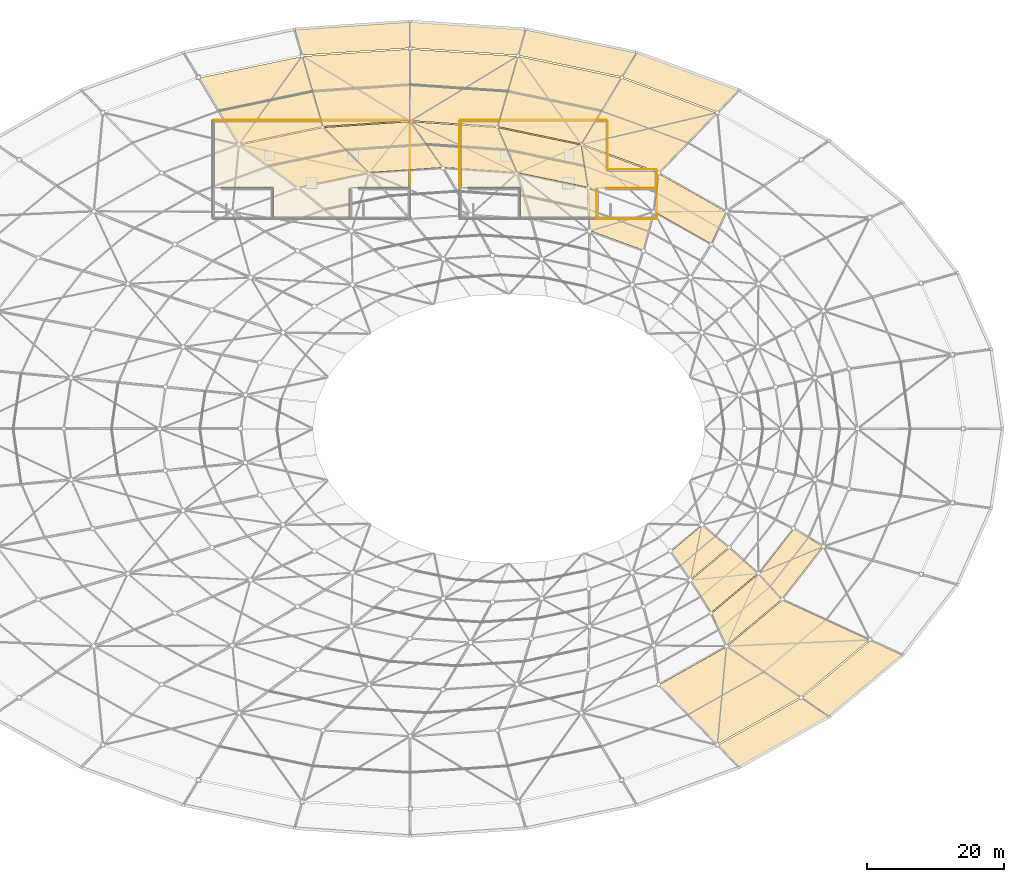
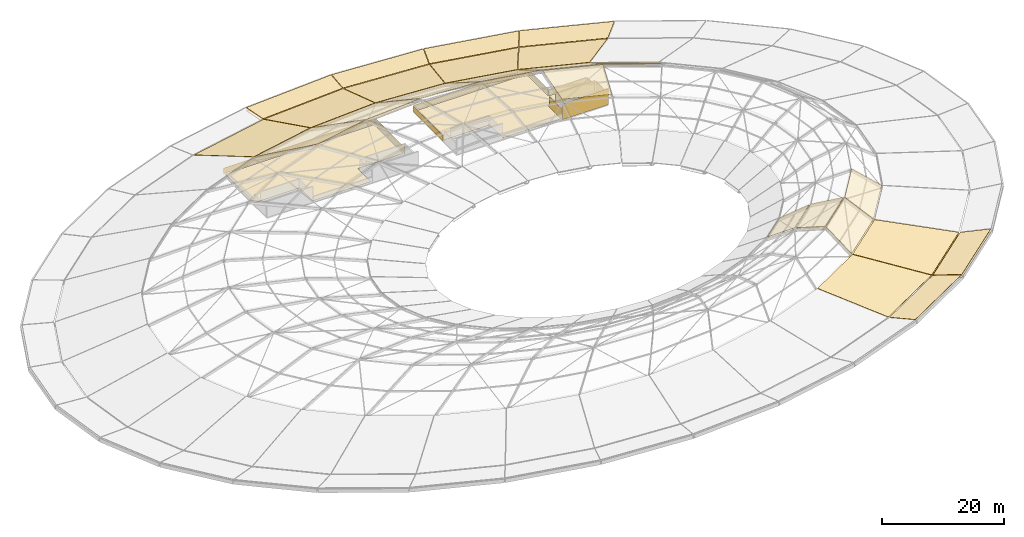
# One storey, part 28 of 30: 48 coverings.
"""IFC4 building model written with IfcOpenShell, lengths in metres."""

from ifc_helpers import new_model, si_unit, direction, frame, origin, origin_2d, place, context, subcontext, project, spatial, polyline, rectangle, outline, extrude, material, layer, layer_set, type_object, element, save


model = new_model("IFC4")

# Units and contexts
model_context = context("Model", 3, precision=1e-05, world=origin(), true_north=direction((0.0, 1.0)))
body_context = subcontext(model_context, "Body", "Model", "MODEL_VIEW")
ifc_project = project(units=[si_unit("LENGTHUNIT", "METRE"), si_unit("AREAUNIT", "SQUARE_METRE"), si_unit("VOLUMEUNIT", "CUBIC_METRE"), si_unit("PLANEANGLEUNIT", "RADIAN"), si_unit("MASSUNIT", "GRAM", prefix="KILO")], contexts=[model_context])

# Site, building, storey
site_placement = place(None, origin())
site = spatial("IfcSite", under=ifc_project, at=site_placement, CompositionType="ELEMENT")
building_placement = place(site_placement, origin())
building = spatial("IfcBuilding", under=site, at=building_placement, Name="Namkhue Oval Health Centre", CompositionType="ELEMENT")
storey_placement = place(building_placement, frame((0.0, 0.0, 26.39990234375)))
storey = spatial("IfcBuildingStorey", under=building, at=storey_placement, Name="RF", CompositionType="ELEMENT", Elevation=26.39990234375)

# Coverings
ifc_material_1 = material(Name="Slatted FSC timber acoustic soffit lining", Category="wood")
ifc_layer_1 = layer(ifc_material_1, 0.0400390625)
ifc_layer_set_1 = layer_set([ifc_layer_1], Name="Slatted FSC timber acoustic soffit lining")
covering_type_1 = type_object("IfcCoveringType", Name="SLATTED TIMBER SOFFIT CEILING 40", PredefinedType="CEILING", material=ifc_layer_set_1)
covering_1_placement = place(storey_placement, frame((119.371337890625, 114.206298828125, 0.4912109375), z_axis=(-0.020162579076, -0.096679350829, 0.995111337252), x_axis=(-0.97893925893, 0.204151726234, -6.87216e-07)))
element("IfcCovering", 1, at=covering_1_placement, inside=storey, type_object=covering_type_1, Name="Gridshell Canopy Slatted Timber Soffit K0-7", PredefinedType="CEILING", context=body_context, shape_type="SweptSolid", body=[
    extrude(outline(polyline([(0.0, 0.0), (16.44572414326599, 0.0), (16.739197177073102, 3.871151208074418), (1.3481097029547753, 3.87137274388681), (0.0, 0.0)])), origin(), (0.0, 0.0, -1.0), 0.0400390625),
])
covering_2_placement = place(storey_placement, frame((86.35791015625, 118.70751953125, 0.490966796875), z_axis=(0.006805001738, -0.100488806798, 0.994914916794), x_axis=(-0.997714709797, -0.067567431901, -3.21913e-07)))
element("IfcCovering", 2, at=covering_2_placement, inside=storey, type_object=covering_type_1, Name="Gridshell Canopy Slatted Timber Soffit K0-9", PredefinedType="CEILING", context=body_context, shape_type="SweptSolid", body=[
    extrude(outline(polyline([(0.0, 0.0), (16.783717029169217, 2.220446049250313e-16), (15.963938869234498, 3.7910519439176356), (0.25543998692965253, 3.7911557940457308), (0.0, 0.0)])), origin(), (0.0, 0.0, -1.0), 0.0400390625),
])
covering_3_placement = place(storey_placement, frame((147.45068359375, 17.478515625, 0.49267578125), z_axis=(-0.053761436773, 0.064177212126, 0.996489334293), x_axis=(0.766569996245, 0.642160759356, -1.83531e-07)))
element("IfcCovering", 3, at=covering_3_placement, inside=storey, type_object=covering_type_1, Name="Gridshell Canopy Slatted Timber Soffit K0-29", PredefinedType="CEILING", context=body_context, shape_type="SweptSolid", body=[
    extrude(outline(polyline([(0.0, 0.0), (13.909490126418302, 0.0), (11.736030655093852, 4.598763544971244), (-1.2740097579375826, 4.598822558229168), (0.0, 0.0)])), origin(), (0.0, 0.0, -1.0), 0.0400390625),
])
covering_4_placement = place(storey_placement, frame((117.16943359375, 110.55126953125, 0.1279296875), z_axis=(0.063020948362, 0.302186410439, 0.951163357901), x_axis=(-0.978939238781, 0.204151822846, 1.863703e-06)))
element("IfcCovering", 4, at=covering_4_placement, inside=storey, type_object=covering_type_1, Name="Gridshell Canopy Slatted Timber Soffit K1-7", PredefinedType="CEILING", context=body_context, shape_type="SweptSolid", body=[
    extrude(outline(polyline([(0.0, 0.0), (15.343156185400561, 4.440892098500626e-16), (16.151788719691453, 11.15788790667842), (3.7142736106411633, 11.158055632461412), (0.0, 0.0)])), origin(), (0.0, 0.0, -1.0), 0.0400390625),
])
covering_5_placement = place(storey_placement, frame((86.35791015625, 114.75146484375, 0.12841796875), z_axis=(-0.021238808043, 0.313652746515, 0.949300198903), x_axis=(-0.997715340394, -0.067558119743, -5.21215e-07)))
element("IfcCovering", 5, at=covering_5_placement, inside=storey, type_object=covering_type_1, Name="Gridshell Canopy Slatted Timber Soffit K1-9", PredefinedType="CEILING", context=body_context, shape_type="SweptSolid", body=[
    extrude(outline(polyline([(0.0, 0.0), (15.658577070304423, 2.220446049250313e-16), (13.398597219195707, 10.953193015409944), (0.7040639907798898, 10.953146007028797), (0.0, 0.0)])), origin(), (0.0, 0.0, -1.0), 0.0400390625),
])
covering_6_placement = place(storey_placement, frame((143.380126953125, 20.27685546875, 0.1240234375), z_axis=(0.170128739181, -0.203085399077, 0.964267873978), x_axis=(0.766566887545, 0.642164470303, -8.61121e-07)))
element("IfcCovering", 6, at=covering_6_placement, inside=storey, type_object=covering_type_1, Name="Gridshell Canopy Slatted Timber Soffit K1-29", PredefinedType="CEILING", context=body_context, shape_type="SweptSolid", body=[
    extrude(outline(polyline([(0.0, 0.0), (12.976062069125721, 0.0), (7.016702637466144, 13.030480668419415), (-3.49339112974487, 13.03040432947061), (0.0, 0.0)])), origin(), (0.0, 0.0, -1.0), 0.0400390625),
])
covering_7_placement = place(storey_placement, frame((132.45751953125, 91.063232421875, 3.648681640625), z_axis=(0.265310414489, 0.470222179844, 0.841725302903), x_axis=(-0.870932391499, 0.491402858595, -1.294447e-06)))
element("IfcCovering", 7, at=covering_7_placement, inside=storey, type_object=covering_type_1, Name="Gridshell Canopy Slatted Timber Soffit K2-5", PredefinedType="CEILING", context=body_context, shape_type="SweptSolid", body=[
    extrude(outline(polyline([(0.0, 0.0), (11.238634156316959, 8.881784197001252e-16), (9.136793707431496, 6.117261258411062), (-0.42268354284715115, 6.117211394065264), (0.0, 0.0)])), origin(), (0.0, 0.0, -1.0), 0.0400390625),
])
covering_8_placement = place(storey_placement, frame((111.3330078125, 100.759521484375, 3.64453125), z_axis=(0.100983987309, 0.484195001107, 0.869113016362), x_axis=(-0.978935455654, 0.204169962683, -1.460888e-06)))
element("IfcCovering", 8, at=covering_8_placement, inside=storey, type_object=covering_type_1, Name="Gridshell Canopy Slatted Timber Soffit K2-7", PredefinedType="CEILING", context=body_context, shape_type="SweptSolid", body=[
    extrude(outline(polyline([(0.0, 0.0), (12.382164648762764, 0.0), (8.322148245901477, 6.694210677373977), (-2.205755483694665, 6.694143010327258), (0.0, 0.0)])), origin(), (0.0, 0.0, -1.0), 0.0400390625),
])
covering_9_placement = place(storey_placement, frame((86.40673828125, 104.166015625, 3.638916015625), z_axis=(-0.029043785476, 0.42895402454, 0.902859293221), x_axis=(-0.997715823972, -0.067550977737, -1.307619e-06)))
element("IfcCovering", 9, at=covering_9_placement, inside=storey, type_object=covering_type_1, Name="Gridshell Canopy Slatted Timber Soffit K2-9", PredefinedType="CEILING", context=body_context, shape_type="SweptSolid", body=[
    extrude(outline(polyline([(0.0, 0.0), (12.6316355508969, 0.0), (6.50374868701712, 7.727934108379321), (-4.229268372299136, 7.727863046508613), (0.0, 0.0)])), origin(), (0.0, 0.0, -1.0), 0.0400390625),
])
covering_10_placement = place(storey_placement, frame((132.5263671875, 27.78662109375, 3.64990234375), z_axis=(0.354667313408, -0.423366454098, 0.833649771993), x_axis=(0.766563135095, 0.64216894966, -2.514884e-06)))
element("IfcCovering", 10, at=covering_10_placement, inside=storey, type_object=covering_type_1, Name="Gridshell Canopy Slatted Timber Soffit K2-29", PredefinedType="CEILING", context=body_context, shape_type="SweptSolid", body=[
    extrude(outline(polyline([(0.0, 0.0), (10.474395781024867, 8.881784197001252e-16), (10.264268940254638, 5.976103660138962), (1.3548288825344648, 5.976015395291201), (0.0, 0.0)])), origin(), (0.0, 0.0, -1.0), 0.0400390625),
])
covering_11_placement = place(storey_placement, frame((130.28759765625, 32.61767578125, 6.967529296875), z_axis=(-0.233176295518, 0.278344705834, 0.931747304768), x_axis=(0.766569372708, 0.642161503683, 3.811919e-06)))
element("IfcCovering", 11, at=covering_11_placement, inside=storey, type_object=covering_type_1, Name="Gridshell Canopy Slatted Timber Soffit K3-29", PredefinedType="CEILING", context=body_context, shape_type="SweptSolid", body=[
    extrude(outline(polyline([(0.0, 0.0), (8.862144535109273, 0.0), (8.057229919008066, 5.879242703204799), (0.7590093228671388, 5.879073050900896), (0.0, 0.0)])), origin(), (0.0, 0.0, -1.0), 0.0400390625),
])
ifc_material_2 = material(Name="Standing-seam aluminium-zinc insulated roofing", Category="aluminium")
ifc_layer_2 = layer(ifc_material_2, 0.044921875)
ifc_layer_set_2 = layer_set([ifc_layer_2], Name="Standing-seam aluminium-zinc insulated roofing")
covering_type_2 = type_object("IfcCoveringType", Name="STANDING SEAM ROOFING 45", PredefinedType="ROOFING", material=ifc_layer_set_2)
covering_12_placement = place(storey_placement, frame((0.0, 0.0, 0.0400390625)))
element("IfcCovering", 12, at=covering_12_placement, inside=storey, type_object=covering_type_2, Name="Volume V2 RF Standing Seam Roofing 1", PredefinedType="ROOFING", context=body_context, shape_type="SweptSolid", body=[
    extrude(outline(polyline([(86.139892578125, 104.139892578125), (86.139892578125, 94.580078125), (77.60009765625, 94.580078125), (77.59228515625, 94.57958984375), (77.58447265625, 94.57861328125), (77.576904296875, 94.57666015625), (77.5693359375, 94.573974609375), (77.562255859375, 94.570556640625), (77.5556640625, 94.56640625), (77.54931640625, 94.561767578125), (77.54345703125, 94.556640625), (77.5380859375, 94.55078125), (77.533447265625, 94.54443359375), (77.529296875, 94.53759765625), (77.526123046875, 94.530517578125), (77.5234375, 94.523193359375), (77.521484375, 94.515625), (77.5205078125, 94.5078125), (77.52001953125, 94.5), (77.52001953125, 90.260009765625), (66.47998046875, 90.260009765625), (66.47998046875, 94.5), (66.4794921875, 94.5078125), (66.478515625, 94.515625), (66.4765625, 94.523193359375), (66.473876953125, 94.530517578125), (66.470703125, 94.53759765625), (66.466552734375, 94.54443359375), (66.4619140625, 94.55078125), (66.45654296875, 94.556640625), (66.45068359375, 94.561767578125), (66.4443359375, 94.56640625), (66.437744140625, 94.570556640625), (66.4306640625, 94.573974609375), (66.423095703125, 94.57666015625), (66.41552734375, 94.57861328125), (66.40771484375, 94.57958984375), (66.39990234375, 94.580078125), (57.860107421875, 94.580078125), (57.860107421875, 104.139892578125), (86.139892578125, 104.139892578125)])), origin(), (0.0, 0.0, 1.0), 0.045166015625),
])
covering_13_placement = place(storey_placement, frame((0.0, 0.0, 0.0400390625)))
element("IfcCovering", 13, at=covering_13_placement, inside=storey, type_object=covering_type_2, Name="Volume V3 RF Standing Seam Roofing 1", PredefinedType="ROOFING", context=body_context, shape_type="SweptSolid", body=[
    extrude(outline(polyline([(114.93994140625, 104.139892578125), (114.93994140625, 97.199951171875), (114.94140625, 97.174560546875), (114.945068359375, 97.1494140625), (114.951171875, 97.12451171875), (114.959716796875, 97.1005859375), (114.970703125, 97.077392578125), (114.98388671875, 97.0556640625), (114.9990234375, 97.03515625), (115.01611328125, 97.01611328125), (115.03515625, 96.9990234375), (115.0556640625, 96.98388671875), (115.077392578125, 96.970703125), (115.1005859375, 96.959716796875), (115.12451171875, 96.951171875), (115.1494140625, 96.945068359375), (115.174560546875, 96.94140625), (115.199951171875, 96.93994140625), (122.139892578125, 96.93994140625), (122.139892578125, 94.580078125), (113.60009765625, 94.580078125), (113.59228515625, 94.57958984375), (113.58447265625, 94.57861328125), (113.576904296875, 94.57666015625), (113.5693359375, 94.573974609375), (113.562255859375, 94.570556640625), (113.5556640625, 94.56640625), (113.54931640625, 94.561767578125), (113.54345703125, 94.556640625), (113.5380859375, 94.55078125), (113.533447265625, 94.54443359375), (113.529296875, 94.53759765625), (113.526123046875, 94.530517578125), (113.5234375, 94.523193359375), (113.521484375, 94.515625), (113.5205078125, 94.5078125), (113.52001953125, 94.5), (113.52001953125, 90.260009765625), (102.47998046875, 90.260009765625), (102.47998046875, 94.5), (102.4794921875, 94.5078125), (102.478515625, 94.515625), (102.4765625, 94.523193359375), (102.473876953125, 94.530517578125), (102.470703125, 94.53759765625), (102.466552734375, 94.54443359375), (102.4619140625, 94.55078125), (102.45654296875, 94.556640625), (102.45068359375, 94.561767578125), (102.4443359375, 94.56640625), (102.437744140625, 94.570556640625), (102.4306640625, 94.573974609375), (102.423095703125, 94.57666015625), (102.41552734375, 94.57861328125), (102.40771484375, 94.57958984375), (102.39990234375, 94.580078125), (93.860107421875, 94.580078125), (93.860107421875, 104.139892578125), (114.93994140625, 104.139892578125)])), origin(), (0.0, 0.0, 1.0), 0.045166015625),
])
covering_14_placement = place(storey_placement, frame((134.289794921875, 108.73486328125, 1.138671875), z_axis=(-0.032758220177, -0.089142561944, 0.995480036295), x_axis=(-0.938632372597, 0.34491922114, -9.47171e-07)))
element("IfcCovering", 14, at=covering_14_placement, inside=storey, type_object=covering_type_2, Name="Elliptical Gridshell Standing Seam Roofing K0-6", PredefinedType="ROOFING", context=body_context, shape_type="SweptSolid", body=[
    extrude(outline(polyline([(0.0, 0.0), (15.802786855635159, -8.881784197001252e-16), (16.575198042852005, 4.033239653241714), (1.788258894853337, 4.03354473274905), (0.0, 0.0)])), origin(), (0.0, 0.0, -1.0), 0.044921875),
])
covering_15_placement = place(storey_placement, frame((119.371337890625, 114.206298828125, 1.13818359375), z_axis=(-0.020149829324, -0.096618215905, 0.995117533125), x_axis=(-0.978939258948, 0.204151726149, -6.86785e-07)))
element("IfcCovering", 15, at=covering_15_placement, inside=storey, type_object=covering_type_2, Name="Elliptical Gridshell Standing Seam Roofing K0-7", PredefinedType="ROOFING", context=body_context, shape_type="SweptSolid", body=[
    extrude(outline(polyline([(0.0, 0.0), (16.445724143266, -8.881784197001252e-16), (16.7391971770731, 3.871127103781713), (1.348109702954785, 3.8713486409734563), (0.0, 0.0)])), origin(), (0.0, 0.0, -1.0), 0.044921875),
])
covering_16_placement = place(storey_placement, frame((103.1875, 117.573486328125, 1.137939453125), z_axis=(-0.006804900221, -0.100488821262, 0.994914916028), x_axis=(-0.997714776227, 0.067566450978, 3.25168e-07)))
element("IfcCovering", 16, at=covering_16_placement, inside=storey, type_object=covering_type_2, Name="Elliptical Gridshell Standing Seam Roofing K0-8", PredefinedType="ROOFING", context=body_context, shape_type="SweptSolid", body=[
    extrude(outline(polyline([(0.0, 0.0), (16.78396061186959, 0.0), (16.528524332096065, 3.7911560438240985), (0.819781866987667, 3.7910511423014657), (0.0, 0.0)])), origin(), (0.0, 0.0, -1.0), 0.044921875),
])
covering_17_placement = place(storey_placement, frame((86.35791015625, 118.70751953125, 1.137939453125), z_axis=(0.006805001738, -0.100488806798, 0.994914916794), x_axis=(-0.997714709797, -0.067567431901, -3.21913e-07)))
element("IfcCovering", 17, at=covering_17_placement, inside=storey, type_object=covering_type_2, Name="Elliptical Gridshell Standing Seam Roofing K0-9", PredefinedType="ROOFING", context=body_context, shape_type="SweptSolid", body=[
    extrude(outline(polyline([(0.0, 0.0), (16.783717029169217, 2.220446049250313e-16), (15.963938869234498, 3.7910519439176356), (0.25543998692965253, 3.7911557940457308), (0.0, 0.0)])), origin(), (0.0, 0.0, -1.0), 0.044921875),
])
covering_18_placement = place(storey_placement, frame((134.37451171875, 10.098388671875, 1.138916015625), z_axis=(-0.044082287911, 0.078130329397, 0.995968073545), x_axis=(0.870932540998, 0.491402593634, -7.5051e-07)))
element("IfcCovering", 18, at=covering_18_placement, inside=storey, type_object=covering_type_2, Name="Elliptical Gridshell Standing Seam Roofing K0-28", PredefinedType="ROOFING", context=body_context, shape_type="SweptSolid", body=[
    extrude(outline(polyline([(0.0, 0.0), (14.922605270966258, -8.881784197001252e-16), (12.839016178315983, 4.2780769677775), (-1.1216710330718682, 4.27831860840635), (0.0, 0.0)])), origin(), (0.0, 0.0, -1.0), 0.044921875),
])
covering_19_placement = place(storey_placement, frame((147.45068359375, 17.478515625, 1.1396484375), z_axis=(-0.053761436773, 0.064177212126, 0.996489334293), x_axis=(0.766569996245, 0.642160759356, -1.83531e-07)))
element("IfcCovering", 19, at=covering_19_placement, inside=storey, type_object=covering_type_2, Name="Elliptical Gridshell Standing Seam Roofing K0-29", PredefinedType="ROOFING", context=body_context, shape_type="SweptSolid", body=[
    extrude(outline(polyline([(0.0, 0.0), (13.909490126418302, 0.0), (11.736030655093852, 4.598763544971244), (-1.2740097579375826, 4.598822558229168), (0.0, 0.0)])), origin(), (0.0, 0.0, -1.0), 0.044921875),
])
covering_20_placement = place(storey_placement, frame((131.0927734375, 105.445068359375, 0.77880859375), z_axis=(0.102720817503, 0.279528105291, 0.954626875802), x_axis=(-0.938629998858, 0.344925680754, 4.38714e-07)))
element("IfcCovering", 20, at=covering_20_placement, inside=storey, type_object=covering_type_2, Name="Elliptical Gridshell Standing Seam Roofing K1-6", PredefinedType="ROOFING", context=body_context, shape_type="SweptSolid", body=[
    extrude(outline(polyline([(0.0, 0.0), (14.742906242601617, 8.881784197001252e-16), (16.8687847473485, 11.573114749655232), (4.920411535837537, 11.573154070206115), (0.0, 0.0)])), origin(), (0.0, 0.0, -1.0), 0.044921875),
])
covering_21_placement = place(storey_placement, frame((117.16943359375, 110.55126953125, 0.77978515625), z_axis=(0.063024989701, 0.302205788722, 0.95115693339), x_axis=(-0.978939238765, 0.204151822922, 1.86381e-06)))
element("IfcCovering", 21, at=covering_21_placement, inside=storey, type_object=covering_type_2, Name="Elliptical Gridshell Standing Seam Roofing K1-7", PredefinedType="ROOFING", context=body_context, shape_type="SweptSolid", body=[
    extrude(outline(polyline([(0.0, 0.0), (15.343156185400558, 0.0), (16.151788719691456, 11.157963273028908), (3.7142736106411567, 11.158130997679022), (0.0, 0.0)])), origin(), (0.0, 0.0, -1.0), 0.044921875),
])
covering_22_placement = place(storey_placement, frame((102.06494140625, 113.693603515625, 0.7802734375), z_axis=(0.021239801798, 0.31367283637, 0.949293538661), x_axis=(-0.997715412287, 0.067557057996, 4.88373e-07)))
element("IfcCovering", 22, at=covering_22_placement, inside=storey, type_object=covering_type_2, Name="Elliptical Gridshell Standing Seam Roofing K1-8", PredefinedType="ROOFING", context=body_context, shape_type="SweptSolid", body=[
    extrude(outline(polyline([(0.0, 0.0), (15.658820653163021, -2.220446049250313e-16), (14.954767614543213, 10.953223464380132), (2.2599908033204112, 10.953267508674442), (0.0, 0.0)])), origin(), (0.0, 0.0, -1.0), 0.044921875),
])
covering_23_placement = place(storey_placement, frame((86.35791015625, 114.75146484375, 0.7802734375), z_axis=(-0.021240165076, 0.313672787053, 0.949293546828), x_axis=(-0.997715340392, -0.067558119765, -5.21245e-07)))
element("IfcCovering", 23, at=covering_23_placement, inside=storey, type_object=covering_type_2, Name="Elliptical Gridshell Standing Seam Roofing K1-9", PredefinedType="ROOFING", context=body_context, shape_type="SweptSolid", body=[
    extrude(outline(polyline([(0.0, 0.0), (15.658577070304425, 2.220446049250313e-16), (13.39859721919571, 10.95326976844128), (0.7040639907798891, 10.953222760389535), (0.0, 0.0)])), origin(), (0.0, 0.0, -1.0), 0.044921875),
])
covering_24_placement = place(storey_placement, frame((70.650634765625, 113.68359375, 0.77978515625), z_axis=(-0.063024989701, 0.302205788722, 0.95115693339), x_axis=(-0.978939238765, -0.204151822922, -1.86381e-06)))
element("IfcCovering", 24, at=covering_24_placement, inside=storey, type_object=covering_type_2, Name="Elliptical Gridshell Standing Seam Roofing K1-10", PredefinedType="ROOFING", context=body_context, shape_type="SweptSolid", body=[
    extrude(outline(polyline([(0.0, 0.0), (15.343156185400558, 0.0), (11.6288825747594, 11.15813099767902), (-0.8086325342908999, 11.15796327302891), (0.0, 0.0)])), origin(), (0.0, 0.0, -1.0), 0.044921875),
])
covering_25_placement = place(storey_placement, frame((131.1767578125, 13.388671875, 0.777587890625), z_axis=(0.138893471802, -0.246168717146, 0.959223418287), x_axis=(0.870933695293, 0.491400547826, 4.56426e-07)))
element("IfcCovering", 25, at=covering_25_placement, inside=storey, type_object=covering_type_2, Name="Elliptical Gridshell Standing Seam Roofing K1-28", PredefinedType="ROOFING", context=body_context, shape_type="SweptSolid", body=[
    extrude(outline(polyline([(0.0, 0.0), (13.921561245105199, -8.881784197001252e-16), (8.197705912905501, 12.2023123118557), (-3.0818098752973935, 12.202353006922259), (0.0, 0.0)])), origin(), (0.0, 0.0, -1.0), 0.044921875),
])
covering_26_placement = place(storey_placement, frame((143.380126953125, 20.27685546875, 0.77587890625), z_axis=(0.170139926356, -0.203098753387, 0.964263087457), x_axis=(0.766566887525, 0.642164470326, -8.61173e-07)))
element("IfcCovering", 26, at=covering_26_placement, inside=storey, type_object=covering_type_2, Name="Elliptical Gridshell Standing Seam Roofing K1-29", PredefinedType="ROOFING", context=body_context, shape_type="SweptSolid", body=[
    extrude(outline(polyline([(0.0, 0.0), (12.976062069125721, 8.881784197001252e-16), (7.016702637466144, 13.030545350406904), (-3.493391129744873, 13.030469011837035), (0.0, 0.0)])), origin(), (0.0, 0.0, -1.0), 0.044921875),
])
covering_27_placement = place(storey_placement, frame((132.45751953125, 91.063232421875, 4.3056640625), z_axis=(0.265310414489, 0.470222179844, 0.841725302903), x_axis=(-0.870932391499, 0.491402858595, -1.294447e-06)))
element("IfcCovering", 27, at=covering_27_placement, inside=storey, type_object=covering_type_2, Name="Elliptical Gridshell Standing Seam Roofing K2-5", PredefinedType="ROOFING", context=body_context, shape_type="SweptSolid", body=[
    extrude(outline(polyline([(0.0, 0.0), (11.238634156316959, 8.881784197001252e-16), (9.136793707431496, 6.117261258411062), (-0.42268354284715115, 6.117211394065264), (0.0, 0.0)])), origin(), (0.0, 0.0, -1.0), 0.044921875),
])
covering_28_placement = place(storey_placement, frame((122.5908203125, 96.62548828125, 4.303955078125), z_axis=(0.17948666664, 0.488430803046, 0.853943725976), x_axis=(-0.938631159108, 0.344922523403, 1.162674e-06)))
element("IfcCovering", 28, at=covering_28_placement, inside=storey, type_object=covering_type_2, Name="Elliptical Gridshell Standing Seam Roofing K2-6", PredefinedType="ROOFING", context=body_context, shape_type="SweptSolid", body=[
    extrude(outline(polyline([(0.0, 0.0), (11.900481886872912, 4.440892098500626e-16), (8.87295091189724, 6.353970482670261), (-1.247929018322755, 6.354019685907972), (0.0, 0.0)])), origin(), (0.0, 0.0, -1.0), 0.044921875),
])
covering_29_placement = place(storey_placement, frame((111.3330078125, 100.759521484375, 4.301513671875), z_axis=(0.100983987309, 0.484195001107, 0.869113016362), x_axis=(-0.978935455654, 0.204169962683, -1.460888e-06)))
element("IfcCovering", 29, at=covering_29_placement, inside=storey, type_object=covering_type_2, Name="Elliptical Gridshell Standing Seam Roofing K2-7", PredefinedType="ROOFING", context=body_context, shape_type="SweptSolid", body=[
    extrude(outline(polyline([(0.0, 0.0), (12.382164648762764, 0.0), (8.322148245901477, 6.694210677373977), (-2.205755483694665, 6.694143010327258), (0.0, 0.0)])), origin(), (0.0, 0.0, -1.0), 0.044921875),
])
covering_30_placement = place(storey_placement, frame((99.115234375, 103.30615234375, 4.298828125), z_axis=(0.031343611739, 0.462922899035, 0.885844211785), x_axis=(-0.997715353297, 0.067557929143, -2.381628e-06)))
element("IfcCovering", 30, at=covering_30_placement, inside=storey, type_object=covering_type_2, Name="Elliptical Gridshell Standing Seam Roofing K2-8", PredefinedType="ROOFING", context=body_context, shape_type="SweptSolid", body=[
    extrude(outline(polyline([(0.0, 0.0), (12.633600706944938, -1.1102230246251565e-16), (7.51200013134159, 7.147730883479876), (-3.2263922445281277, 7.14761091480539), (0.0, 0.0)])), origin(), (0.0, 0.0, -1.0), 0.044921875),
])
covering_31_placement = place(storey_placement, frame((86.40673828125, 104.166015625, 4.2958984375), z_axis=(-0.029043785476, 0.42895402454, 0.902859293221), x_axis=(-0.997715823972, -0.067550977737, -1.307619e-06)))
element("IfcCovering", 31, at=covering_31_placement, inside=storey, type_object=covering_type_2, Name="Elliptical Gridshell Standing Seam Roofing K2-9", PredefinedType="ROOFING", context=body_context, shape_type="SweptSolid", body=[
    extrude(outline(polyline([(0.0, 0.0), (12.6316355508969, 0.0), (6.50374868701712, 7.727934108379321), (-4.229268372299136, 7.727863046508613), (0.0, 0.0)])), origin(), (0.0, 0.0, -1.0), 0.044921875),
])
covering_32_placement = place(storey_placement, frame((73.696044921875, 103.305419921875, 4.29248046875), z_axis=(-0.080413204078, 0.385580914451, 0.91916324721), x_axis=(-0.978937756153, -0.204158932154, 2.89598e-07)))
element("IfcCovering", 32, at=covering_32_placement, inside=storey, type_object=covering_type_2, Name="Elliptical Gridshell Standing Seam Roofing K2-10", PredefinedType="ROOFING", context=body_context, shape_type="SweptSolid", body=[
    extrude(outline(polyline([(0.0, 0.0), (12.376896462438847, 0.0), (5.393038575096859, 8.452135522959173), (-5.119638282246544, 8.452152352532647), (0.0, 0.0)])), origin(), (0.0, 0.0, -1.0), 0.044921875),
])
covering_33_placement = place(storey_placement, frame((132.5263671875, 27.78662109375, 4.306884765625), z_axis=(0.354667313408, -0.423366454098, 0.833649771993), x_axis=(0.766563135095, 0.64216894966, -2.514884e-06)))
element("IfcCovering", 33, at=covering_33_placement, inside=storey, type_object=covering_type_2, Name="Elliptical Gridshell Standing Seam Roofing K2-29", PredefinedType="ROOFING", context=body_context, shape_type="SweptSolid", body=[
    extrude(outline(polyline([(0.0, 0.0), (10.474395781024867, 8.881784197001252e-16), (10.264268940254638, 5.976103660138962), (1.3548288825344648, 5.976015395291201), (0.0, 0.0)])), origin(), (0.0, 0.0, -1.0), 0.044921875),
])
covering_34_placement = place(storey_placement, frame((140.61328125, 34.57373046875, 4.307373046875), z_axis=(0.440183574608, -0.342224499647, 0.830133008913), x_axis=(0.613782683027, 0.789475026847, 7.71683e-07)))
element("IfcCovering", 34, at=covering_34_placement, inside=storey, type_object=covering_type_2, Name="Elliptical Gridshell Standing Seam Roofing K2-30", PredefinedType="ROOFING", context=body_context, shape_type="SweptSolid", body=[
    extrude(outline(polyline([(0.0, 0.0), (9.71459544945074, -8.881784197001252e-16), (9.108663492525837, 5.9177873177639055), (0.8459459835283999, 5.917812198752699), (0.0, 0.0)])), origin(), (0.0, 0.0, -1.0), 0.044921875),
])
covering_35_placement = place(storey_placement, frame((121.859375, 90.94189453125, 7.63037109375), z_axis=(-0.121321447854, -0.330128615089, 0.93610694036), x_axis=(-0.938625647464, 0.344937521762, -1.790598e-06)))
element("IfcCovering", 35, at=covering_35_placement, inside=storey, type_object=covering_type_2, Name="Elliptical Gridshell Standing Seam Roofing K3-6", PredefinedType="ROOFING", context=body_context, shape_type="SweptSolid", body=[
    extrude(outline(polyline([(0.0, 0.0), (10.071758607368126, 4.440892098500626e-16), (7.777157988571256, 6.075094205474903), (-0.5170845563177824, 6.075187707548725), (0.0, 0.0)])), origin(), (0.0, 0.0, -1.0), 0.044921875),
])
covering_36_placement = place(storey_placement, frame((130.28759765625, 32.61767578125, 7.62939453125), z_axis=(-0.233153143953, 0.278317069596, 0.931761353693), x_axis=(0.766569372897, 0.642161503457, 3.811598e-06)))
element("IfcCovering", 36, at=covering_36_placement, inside=storey, type_object=covering_type_2, Name="Elliptical Gridshell Standing Seam Roofing K3-29", PredefinedType="ROOFING", context=body_context, shape_type="SweptSolid", body=[
    extrude(outline(polyline([(0.0, 0.0), (8.86214453510929, 0.0), (8.057229919008051, 5.879154059621495), (0.7590093228671674, 5.878984404759566), (0.0, 0.0)])), origin(), (0.0, 0.0, -1.0), 0.044921875),
])
covering_37_placement = place(storey_placement, frame((127.263916015625, 37.437744140625, 5.4169921875), z_axis=(-0.356768730439, 0.425883644413, 0.831468095842), x_axis=(0.76656647101, 0.64216496753, -7.33674e-07)))
element("IfcCovering", 37, at=covering_37_placement, inside=storey, type_object=covering_type_2, Name="Elliptical Gridshell Standing Seam Roofing K4-29", PredefinedType="ROOFING", context=body_context, shape_type="SweptSolid", body=[
    extrude(outline(polyline([(0.0, 0.0), (7.2535197247940895, 0.0), (6.3463748328235985, 5.9394588755613675), (0.4531265073229309, 5.939476236834211), (0.0, 0.0)])), origin(), (0.0, 0.0, -1.0), 0.044921875),
])
ifc_material_3 = material(Name="White glass-fibre reinforced concrete GRC rainscreen cladding", Category="concrete")
ifc_layer_3 = layer(ifc_material_3, 0.02490234375)
ifc_layer_set_3 = layer_set([ifc_layer_3], Name="White glass-fibre reinforced concrete GRC rainscreen cladding")
covering_type_3 = type_object("IfcCoveringType", Name="WHITE GRC RAINSCREEN CLADDING 25", PredefinedType="CLADDING", material=ifc_layer_set_3)
covering_38_placement = place(storey_placement, frame((72.0, 104.412109375, 0.01025390625), z_axis=(0.0, 0.0, 1.0), x_axis=(1.0, 0.0, 0.0)))
element("IfcCovering", 38, at=covering_38_placement, inside=storey, type_object=covering_type_3, Name="Volume V2 RF Parapet 2 White GRC Cladding 1", PredefinedType="CLADDING", context=body_context, shape_type="SweptSolid", body=[
    extrude(rectangle(XDim=28.554931640625, YDim=0.02490234375, at=origin_2d()), origin(), (0.0, 0.0, 1.0), 1.1298828125),
])
covering_39_placement = place(storey_placement, frame((86.412109375, 99.399658203125, 0.01025390625), z_axis=(0.0, 0.0, 1.0), x_axis=(0.0, -1.0, 0.0)))
element("IfcCovering", 39, at=covering_39_placement, inside=storey, type_object=covering_type_3, Name="Volume V2 RF Parapet 3 White GRC Cladding 1", PredefinedType="CLADDING", context=body_context, shape_type="SweptSolid", body=[
    extrude(rectangle(XDim=9.755615234375, YDim=0.02490234375, at=origin_2d()), origin(), (0.0, 0.0, 1.0), 1.1298828125),
])
covering_40_placement = place(storey_placement, frame((93.587890625, 99.394775390625, 0.01025390625), z_axis=(0.0, 0.0, 1.0), x_axis=(0.0, 1.0, 0.0)))
element("IfcCovering", 40, at=covering_40_placement, inside=storey, type_object=covering_type_3, Name="Volume V3 RF Parapet 1 White GRC Cladding 1", PredefinedType="CLADDING", context=body_context, shape_type="SweptSolid", body=[
    extrude(rectangle(XDim=9.74560546875, YDim=0.02490234375, at=origin_2d()), origin(), (0.0, 0.0, 1.0), 1.1298828125),
])
covering_41_placement = place(storey_placement, frame((104.39990234375, 104.412109375, 0.01025390625), z_axis=(0.0, 0.0, 1.0), x_axis=(1.0, 0.0, 0.0)))
element("IfcCovering", 41, at=covering_41_placement, inside=storey, type_object=covering_type_3, Name="Volume V3 RF Parapet 2 White GRC Cladding 1", PredefinedType="CLADDING", context=body_context, shape_type="SweptSolid", body=[
    extrude(rectangle(XDim=21.3349609375, YDim=0.02490234375, at=origin_2d()), origin(), (0.0, 0.0, 1.0), 1.1298828125),
])
for number, where, z_axis, x_axis, name in (
    (42, (115.2119140625, 100.6875, 0.01025390625), (0.0, 0.0, 1.0), (0.0, -1.0, 0.0), "Volume V3 RF Parapet 3 White GRC Cladding 1"),
    (43, (118.6875, 97.2119140625, 0.01025390625), (0.0, 0.0, 1.0), (1.0, 0.0, 0.0), "Volume V3 RF Parapet 4 White GRC Cladding 1"),
):
    element("IfcCovering", number, at=place(storey_placement, frame(where, z_axis=z_axis, x_axis=x_axis)), inside=storey, type_object=covering_type_3, Name=name, PredefinedType="CLADDING", context=body_context, shape_type="SweptSolid", body=[
        extrude(rectangle(XDim=7.159912109375, YDim=0.02490234375, at=origin_2d()), origin(), (0.0, 0.0, 1.0), 1.1298828125),
    ])
covering_42_placement = place(storey_placement, frame((122.412109375, 95.794677734375, 0.01025390625), z_axis=(0.0, 0.0, 1.0), x_axis=(0.0, -1.0, 0.0)))
element("IfcCovering", 44, at=covering_42_placement, inside=storey, type_object=covering_type_3, Name="Volume V3 RF Parapet 5 White GRC Cladding 1", PredefinedType="CLADDING", context=body_context, shape_type="SweptSolid", body=[
    extrude(rectangle(XDim=2.54541015625, YDim=0.02490234375, at=origin_2d()), origin(), (0.0, 0.0, 1.0), 1.1298828125),
])
covering_43_placement = place(storey_placement, frame((118.0, 89.988037109375, 0.01025390625), z_axis=(0.0, 0.0, 1.0), x_axis=(1.0, 0.0, 0.0)))
element("IfcCovering", 45, at=covering_43_placement, inside=storey, type_object=covering_type_3, Name="Core SC-06 RF Core S White GRC Cladding 1", PredefinedType="CLADDING", context=body_context, shape_type="SweptSolid", body=[
    extrude(rectangle(XDim=8.760009765625, YDim=0.02490234375, at=origin_2d()), origin(), (0.0, 0.0, 1.0), 3.179931640625),
])
covering_44_placement = place(storey_placement, frame((122.412109375, 92.25, 0.01025390625), z_axis=(0.0, 0.0, 1.0), x_axis=(0.0, 1.0, 0.0)))
element("IfcCovering", 46, at=covering_44_placement, inside=storey, type_object=covering_type_3, Name="Core SC-06 RF Core E White GRC Cladding 1", PredefinedType="CLADDING", context=body_context, shape_type="SweptSolid", body=[
    extrude(rectangle(XDim=3.9599609375, YDim=0.02490234375, at=origin_2d()), origin(), (0.0, 0.0, 1.0), 2.1298828125),
])
covering_45_placement = place(storey_placement, frame((118.64990234375, 94.511962890625, 0.01025390625), z_axis=(0.0, 0.0, 1.0), x_axis=(-1.0, 0.0, 0.0)))
element("IfcCovering", 47, at=covering_45_placement, inside=storey, type_object=covering_type_3, Name="Core SC-06 RF Core N White GRC Cladding 1", PredefinedType="CLADDING", context=body_context, shape_type="SweptSolid", body=[
    extrude(rectangle(XDim=7.4599609375, YDim=0.02490234375, at=origin_2d()), origin(), (0.0, 0.0, 1.0), 2.1298828125),
])
covering_46_placement = place(storey_placement, frame((113.587890625, 92.25, 0.01025390625), z_axis=(0.0, 0.0, 1.0), x_axis=(0.0, -1.0, 0.0)))
element("IfcCovering", 48, at=covering_46_placement, inside=storey, type_object=covering_type_3, Name="Core SC-06 RF Core W White GRC Cladding 1", PredefinedType="CLADDING", context=body_context, shape_type="SweptSolid", body=[
    extrude(rectangle(XDim=3.9599609375, YDim=0.02490234375, at=origin_2d()), origin(), (0.0, 0.0, 1.0), 2.1298828125),
])

save(model, "model.ifc")
